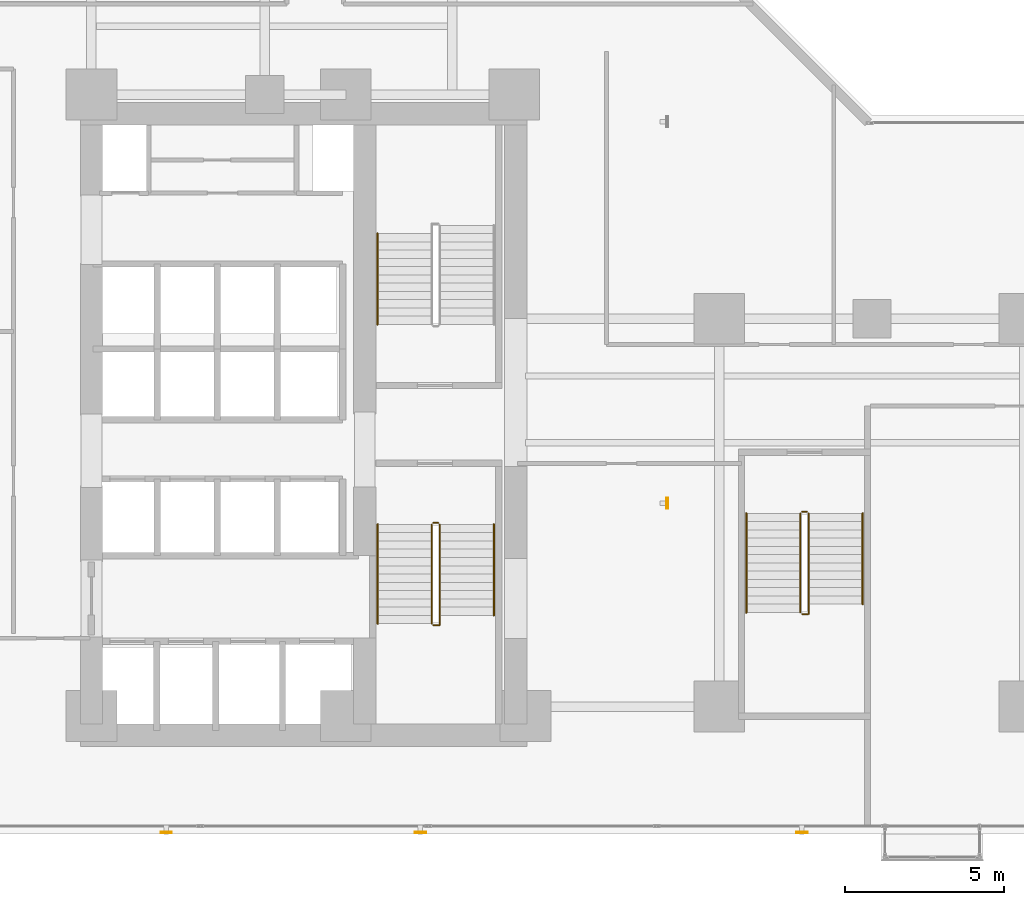
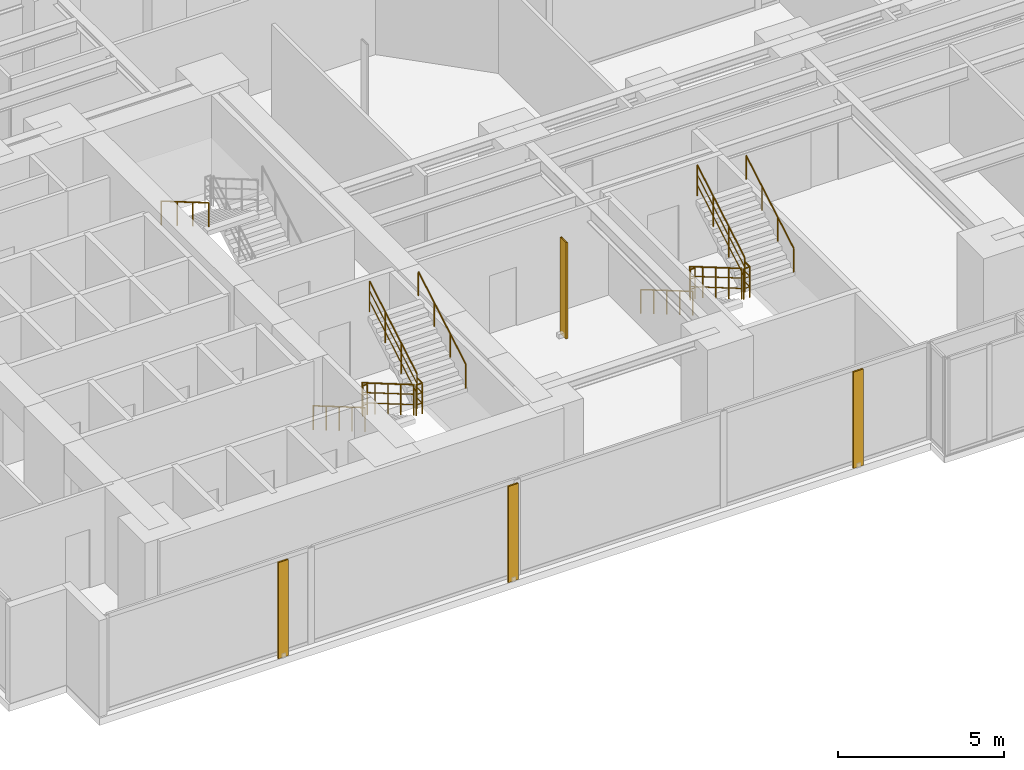
# One storey, part 27 of 30: 13 railings, 4 shading devices.
"""IFC4 building model written with IfcOpenShell, lengths in metres."""

from ifc_helpers import new_model, si_unit, direction, frame, origin, origin_2d, place, context, subcontext, project, spatial, hollow_rectangle, circle, extrude, material, material_profile, profile_set, type_object, element, save


model = new_model("IFC4")

# Units and contexts
model_context = context("Model", 3, precision=1e-05, world=origin(), true_north=direction((0.0, 1.0)))
body_context = subcontext(model_context, "Body", "Model", "MODEL_VIEW")
ifc_project = project(units=[si_unit("LENGTHUNIT", "METRE"), si_unit("AREAUNIT", "SQUARE_METRE"), si_unit("VOLUMEUNIT", "CUBIC_METRE"), si_unit("PLANEANGLEUNIT", "RADIAN"), si_unit("MASSUNIT", "GRAM", prefix="KILO")], contexts=[model_context])

# Site, building, storey
site_placement = place(None, origin())
site = spatial("IfcSite", under=ifc_project, at=site_placement, CompositionType="ELEMENT")
building_placement = place(site_placement, origin())
building = spatial("IfcBuilding", under=site, at=building_placement, Name="Kolvaren Waterfront Exchange", CompositionType="ELEMENT")
storey_placement = place(building_placement, frame((0.0, 0.0, 52.39990234375)))
storey = spatial("IfcBuildingStorey", under=building, at=storey_placement, Name="L13", CompositionType="ELEMENT", Elevation=52.39990234375)

# Shading devices
ifc_material_1 = material(Name="Anodised bronze aluminium 6063-T6", Category="aluminium")
ifc_material_profile = material_profile(ifc_material_1, hollow_rectangle(XDim=0.06005859375, YDim=0.35009765625, WallThickness=0.0048828125, at=origin_2d()), Name="BRZ-FIN-350x60x5")
ifc_profile_set = profile_set([ifc_material_profile], Name="Anodised bronze aluminium 6063-T6")
shading_device_type = type_object("IfcShadingDeviceType", Name="ARC-FIN-350", PredefinedType="USERDEFINED", material=ifc_profile_set)
for number, where, z_axis, x_axis, name in (
    (1, (9.800048828125, 1.239990234375, 0.0), (0.0, 0.0, 1.0), (0.0, -1.0, 0.0), "L13 anodised bronze solar shading fin FIN-L13-S1"),
    (2, (17.800048828125, 1.239990234375, 0.0), (0.0, 0.0, 1.0), (0.0, -1.0, 0.0), "L13 anodised bronze solar shading fin FIN-L13-S2"),
    (3, (29.800048828125, 1.239990234375, 0.0), (0.0, 0.0, 1.0), (0.0, -1.0, 0.0), "L13 anodised bronze solar shading fin FIN-L13-S3"),
    (4, (25.56005859375, 11.60009765625, 0.0), (0.0, 0.0, 1.0), (1.0, 0.0, 0.0), "L13 anodised bronze solar shading fin FIN-L13-E1"),
):
    element("IfcShadingDevice", number, at=place(storey_placement, frame(where, z_axis=z_axis, x_axis=x_axis)), inside=storey, type_object=shading_device_type, Name=name, ObjectType="SOLAR FIN", PredefinedType="USERDEFINED", context=body_context, shape_type="SweptSolid", body=[
        extrude(hollow_rectangle(XDim=0.06005859375, YDim=0.35009765625, WallThickness=0.0048828125, at=origin_2d()), origin(), (0.0, 0.0, 1.0), 3.5400390625),
    ])

# Railings
ifc_material_2 = material(Name="Stainless steel 316", Category="steel")
railing_type_1 = type_object("IfcRailingType", Name="ARC-GUARD-STAIR", PredefinedType="GUARDRAIL", material=ifc_material_2)
railing_1_placement = place(storey_placement, frame((18.14990234375, 10.929931640625, 0.152099609375)))
element("IfcRailing", 5, at=railing_1_placement, inside=storey, type_object=railing_type_1, Name="L13 ST1 stair guard 1", PredefinedType="GUARDRAIL", context=body_context, shape_type="SweptSolid", body=[
    extrude(circle(Radius=0.02392578125, at=origin_2d()), frame((0.0, 0.0, 1.1259765625), z_axis=(0.0, -0.86329090724, 0.504706656858), x_axis=(1.0, 0.0, 0.0)), (0.0, 0.0, 1.0), 3.614013671875),
    extrude(circle(Radius=0.01611328125, at=origin_2d()), frame((0.0, 0.0, 0.390869140625), z_axis=(0.0, -0.86329090724, 0.504706656858), x_axis=(1.0, 0.0, 0.0)), (0.0, 0.0, 1.0), 3.614013671875),
    extrude(circle(Radius=0.01611328125, at=origin_2d()), frame((0.0, 0.0, 0.7705078125), z_axis=(0.0, -0.86329090724, 0.504706656858), x_axis=(1.0, 0.0, 0.0)), (0.0, 0.0, 1.0), 3.614013671875),
    extrude(circle(Radius=0.02099609375, at=origin_2d()), origin(), (0.0, 0.0, 1.0), 1.101806640625),
    extrude(circle(Radius=0.02099609375, at=origin_2d()), frame((0.0, -0.780029296875, 0.4560546875)), (0.0, 0.0, 1.0), 1.101806640625),
    extrude(circle(Radius=0.02099609375, at=origin_2d()), frame((0.0, -1.56005859375, 0.912109375)), (0.0, 0.0, 1.0), 1.101806640625),
    extrude(circle(Radius=0.02099609375, at=origin_2d()), frame((0.0, -2.33984375, 1.367919921875)), (0.0, 0.0, 1.0), 1.101806640625),
    extrude(circle(Radius=0.02099609375, at=origin_2d()), frame((0.0, -3.119873046875, 1.823974609375)), (0.0, 0.0, 1.0), 1.101806640625),
])
railing_2_placement = place(storey_placement, frame((18.199951171875, 7.760009765625, 1.97607421875)))
element("IfcRailing", 6, at=railing_2_placement, inside=storey, type_object=railing_type_1, Name="L13 ST1 stair guard 2", PredefinedType="GUARDRAIL", context=body_context, shape_type="SweptSolid", body=[
    extrude(circle(Radius=0.02392578125, at=origin_2d()), frame((0.0, 0.0, 1.1259765625), z_axis=(1.0, 0.0, 0.0), x_axis=(0.0, 1.0, 0.0)), (0.0, 0.0, 1.0), 0.2099609375),
    extrude(circle(Radius=0.01611328125, at=origin_2d()), frame((0.0, 0.0, 0.390869140625), z_axis=(1.0, 0.0, 0.0), x_axis=(0.0, 1.0, 0.0)), (0.0, 0.0, 1.0), 0.2099609375),
    extrude(circle(Radius=0.01611328125, at=origin_2d()), frame((0.0, 0.0, 0.7705078125), z_axis=(1.0, 0.0, 0.0), x_axis=(0.0, 1.0, 0.0)), (0.0, 0.0, 1.0), 0.2099609375),
    extrude(circle(Radius=0.02392578125, at=origin_2d()), frame((0.2099609375, 0.0, 1.1259765625), z_axis=(0.0, 1.0, 0.0), x_axis=(-1.0, 0.0, 0.0)), (0.0, 0.0, 1.0), 0.31005859375),
    extrude(circle(Radius=0.01611328125, at=origin_2d()), frame((0.2099609375, 0.0, 0.390869140625), z_axis=(0.0, 1.0, 0.0), x_axis=(-1.0, 0.0, 0.0)), (0.0, 0.0, 1.0), 0.31005859375),
    extrude(circle(Radius=0.01611328125, at=origin_2d()), frame((0.2099609375, 0.0, 0.7705078125), z_axis=(0.0, 1.0, 0.0), x_axis=(-1.0, 0.0, 0.0)), (0.0, 0.0, 1.0), 0.31005859375),
    extrude(circle(Radius=0.02099609375, at=origin_2d()), origin(), (0.0, 0.0, 1.0), 1.101806640625),
    extrude(circle(Radius=0.02099609375, at=origin_2d()), frame((0.2099609375, 0.0, 0.0)), (0.0, 0.0, 1.0), 1.101806640625),
    extrude(circle(Radius=0.02099609375, at=origin_2d()), frame((0.2099609375, 0.31005859375, 0.0)), (0.0, 0.0, 1.0), 1.101806640625),
])
railing_3_placement = place(storey_placement, frame((18.409912109375, 8.070068359375, 2.128173828125)))
element("IfcRailing", 7, at=railing_3_placement, inside=storey, type_object=railing_type_1, Name="L13 ST1 stair guard 3", PredefinedType="GUARDRAIL", context=body_context, shape_type="SweptSolid", body=[
    extrude(circle(Radius=0.02392578125, at=origin_2d()), frame((0.0, 0.0, 1.1259765625), z_axis=(0.0, 0.86330272217, 0.504686447108), x_axis=(-1.0, 0.0, 0.0)), (0.0, 0.0, 1.0), 3.312744140625),
    extrude(circle(Radius=0.01611328125, at=origin_2d()), frame((0.0, 0.0, 0.390869140625), z_axis=(0.0, 0.86330272217, 0.504686447108), x_axis=(-1.0, 0.0, 0.0)), (0.0, 0.0, 1.0), 3.312744140625),
    extrude(circle(Radius=0.01611328125, at=origin_2d()), frame((0.0, 0.0, 0.7705078125), z_axis=(0.0, 0.86330272217, 0.504686447108), x_axis=(-1.0, 0.0, 0.0)), (0.0, 0.0, 1.0), 3.312744140625),
    extrude(circle(Radius=0.02099609375, at=origin_2d()), origin(), (0.0, 0.0, 1.0), 1.101806640625),
    extrude(circle(Radius=0.02099609375, at=origin_2d()), frame((0.0, 0.953369140625, 0.557373046875)), (0.0, 0.0, 1.0), 1.101806640625),
    extrude(circle(Radius=0.02099609375, at=origin_2d()), frame((0.0, 1.906494140625, 1.114501953125)), (0.0, 0.0, 1.0), 1.101806640625),
    extrude(circle(Radius=0.02099609375, at=origin_2d()), frame((0.0, 2.85986328125, 1.671875)), (0.0, 0.0, 1.0), 1.101806640625),
])
railing_4_placement = place(storey_placement, frame((18.199951171875, 10.97998046875, 0.0)))
element("IfcRailing", 8, at=railing_4_placement, inside=storey, type_object=railing_type_1, Name="L13 ST1 stair guard 4", PredefinedType="GUARDRAIL", context=body_context, shape_type="SweptSolid", body=[
    extrude(circle(Radius=0.02392578125, at=origin_2d()), frame((0.0, 0.0, 1.1259765625), z_axis=(1.0, 0.0, 0.0), x_axis=(0.0, 1.0, 0.0)), (0.0, 0.0, 1.0), 0.16015625),
    extrude(circle(Radius=0.01611328125, at=origin_2d()), frame((0.0, 0.0, 0.390869140625), z_axis=(1.0, 0.0, 0.0), x_axis=(0.0, 1.0, 0.0)), (0.0, 0.0, 1.0), 0.16015625),
    extrude(circle(Radius=0.01611328125, at=origin_2d()), frame((0.0, 0.0, 0.7705078125), z_axis=(1.0, 0.0, 0.0), x_axis=(0.0, 1.0, 0.0)), (0.0, 0.0, 1.0), 0.16015625),
    extrude(circle(Radius=0.02099609375, at=origin_2d()), origin(), (0.0, 0.0, 1.0), 1.101806640625),
    extrude(circle(Radius=0.02099609375, at=origin_2d()), frame((0.16015625, 0.0, 0.0)), (0.0, 0.0, 1.0), 1.101806640625),
])
railing_5_placement = place(storey_placement, frame((29.75, 11.280029296875, 0.152099609375)))
element("IfcRailing", 9, at=railing_5_placement, inside=storey, type_object=railing_type_1, Name="L13 ST3 stair guard 1", PredefinedType="GUARDRAIL", context=body_context, shape_type="SweptSolid", body=[
    extrude(circle(Radius=0.02392578125, at=origin_2d()), frame((0.0, 0.0, 1.1259765625), z_axis=(0.0, -0.86330811405, 0.504677223793), x_axis=(1.0, 0.0, 0.0)), (0.0, 0.0, 1.0), 3.6142578125),
    extrude(circle(Radius=0.01611328125, at=origin_2d()), frame((0.0, 0.0, 0.390869140625), z_axis=(0.0, -0.86330811405, 0.504677223793), x_axis=(1.0, 0.0, 0.0)), (0.0, 0.0, 1.0), 3.6142578125),
    extrude(circle(Radius=0.01611328125, at=origin_2d()), frame((0.0, 0.0, 0.7705078125), z_axis=(0.0, -0.86330811405, 0.504677223793), x_axis=(1.0, 0.0, 0.0)), (0.0, 0.0, 1.0), 3.6142578125),
    extrude(circle(Radius=0.02099609375, at=origin_2d()), origin(), (0.0, 0.0, 1.0), 1.101806640625),
    extrude(circle(Radius=0.02099609375, at=origin_2d()), frame((0.0, -0.780029296875, 0.4560546875)), (0.0, 0.0, 1.0), 1.101806640625),
    extrude(circle(Radius=0.02099609375, at=origin_2d()), frame((0.0, -1.56005859375, 0.912109375)), (0.0, 0.0, 1.0), 1.101806640625),
    extrude(circle(Radius=0.02099609375, at=origin_2d()), frame((0.0, -2.340087890625, 1.367919921875)), (0.0, 0.0, 1.0), 1.101806640625),
    extrude(circle(Radius=0.02099609375, at=origin_2d()), frame((0.0, -3.1201171875, 1.823974609375)), (0.0, 0.0, 1.0), 1.101806640625),
])
railing_6_placement = place(storey_placement, frame((29.800048828125, 8.110107421875, 1.97607421875)))
element("IfcRailing", 10, at=railing_6_placement, inside=storey, type_object=railing_type_1, Name="L13 ST3 stair guard 2", PredefinedType="GUARDRAIL", context=body_context, shape_type="SweptSolid", body=[
    extrude(circle(Radius=0.02392578125, at=origin_2d()), frame((0.0, 0.0, 1.1259765625), z_axis=(1.0, 0.0, 0.0), x_axis=(0.0, 1.0, 0.0)), (0.0, 0.0, 1.0), 0.2099609375),
    extrude(circle(Radius=0.01611328125, at=origin_2d()), frame((0.0, 0.0, 0.390869140625), z_axis=(1.0, 0.0, 0.0), x_axis=(0.0, 1.0, 0.0)), (0.0, 0.0, 1.0), 0.2099609375),
    extrude(circle(Radius=0.01611328125, at=origin_2d()), frame((0.0, 0.0, 0.7705078125), z_axis=(1.0, 0.0, 0.0), x_axis=(0.0, 1.0, 0.0)), (0.0, 0.0, 1.0), 0.2099609375),
    extrude(circle(Radius=0.02392578125, at=origin_2d()), frame((0.2099609375, 0.0, 1.1259765625), z_axis=(0.0, 1.0, 0.0), x_axis=(-1.0, 0.0, 0.0)), (0.0, 0.0, 1.0), 0.309814453125),
    extrude(circle(Radius=0.01611328125, at=origin_2d()), frame((0.2099609375, 0.0, 0.390869140625), z_axis=(0.0, 1.0, 0.0), x_axis=(-1.0, 0.0, 0.0)), (0.0, 0.0, 1.0), 0.309814453125),
    extrude(circle(Radius=0.01611328125, at=origin_2d()), frame((0.2099609375, 0.0, 0.7705078125), z_axis=(0.0, 1.0, 0.0), x_axis=(-1.0, 0.0, 0.0)), (0.0, 0.0, 1.0), 0.309814453125),
    extrude(circle(Radius=0.02099609375, at=origin_2d()), origin(), (0.0, 0.0, 1.0), 1.101806640625),
    extrude(circle(Radius=0.02099609375, at=origin_2d()), frame((0.2099609375, 0.0, 0.0)), (0.0, 0.0, 1.0), 1.101806640625),
    extrude(circle(Radius=0.02099609375, at=origin_2d()), frame((0.2099609375, 0.309814453125, 0.0)), (0.0, 0.0, 1.0), 1.101806640625),
])
railing_7_placement = place(storey_placement, frame((30.010009765625, 8.419921875, 2.128173828125)))
element("IfcRailing", 11, at=railing_7_placement, inside=storey, type_object=railing_type_1, Name="L13 ST3 stair guard 3", PredefinedType="GUARDRAIL", context=body_context, shape_type="SweptSolid", body=[
    extrude(circle(Radius=0.02392578125, at=origin_2d()), frame((0.0, 0.0, 1.1259765625), z_axis=(0.0, 0.863321491973, 0.504654338629), x_axis=(-1.0, 0.0, 0.0)), (0.0, 0.0, 1.0), 3.31298828125),
    extrude(circle(Radius=0.01611328125, at=origin_2d()), frame((0.0, 0.0, 0.390869140625), z_axis=(0.0, 0.863321491973, 0.504654338629), x_axis=(-1.0, 0.0, 0.0)), (0.0, 0.0, 1.0), 3.31298828125),
    extrude(circle(Radius=0.01611328125, at=origin_2d()), frame((0.0, 0.0, 0.7705078125), z_axis=(0.0, 0.863321491973, 0.504654338629), x_axis=(-1.0, 0.0, 0.0)), (0.0, 0.0, 1.0), 3.31298828125),
    extrude(circle(Radius=0.02099609375, at=origin_2d()), origin(), (0.0, 0.0, 1.0), 1.101806640625),
    extrude(circle(Radius=0.02099609375, at=origin_2d()), frame((0.0, 0.953369140625, 0.557373046875)), (0.0, 0.0, 1.0), 1.101806640625),
    extrude(circle(Radius=0.02099609375, at=origin_2d()), frame((0.0, 1.90673828125, 1.114501953125)), (0.0, 0.0, 1.0), 1.101806640625),
    extrude(circle(Radius=0.02099609375, at=origin_2d()), frame((0.0, 2.860107421875, 1.671875)), (0.0, 0.0, 1.0), 1.101806640625),
])
railing_8_placement = place(storey_placement, frame((29.800048828125, 11.330078125, 0.0)))
element("IfcRailing", 12, at=railing_8_placement, inside=storey, type_object=railing_type_1, Name="L13 ST3 stair guard 4", PredefinedType="GUARDRAIL", context=body_context, shape_type="SweptSolid", body=[
    extrude(circle(Radius=0.02392578125, at=origin_2d()), frame((0.0, 0.0, 1.1259765625), z_axis=(1.0, 0.0, 0.0), x_axis=(0.0, 1.0, 0.0)), (0.0, 0.0, 1.0), 0.159912109375),
    extrude(circle(Radius=0.01611328125, at=origin_2d()), frame((0.0, 0.0, 0.390869140625), z_axis=(1.0, 0.0, 0.0), x_axis=(0.0, 1.0, 0.0)), (0.0, 0.0, 1.0), 0.159912109375),
    extrude(circle(Radius=0.01611328125, at=origin_2d()), frame((0.0, 0.0, 0.7705078125), z_axis=(1.0, 0.0, 0.0), x_axis=(0.0, 1.0, 0.0)), (0.0, 0.0, 1.0), 0.159912109375),
    extrude(circle(Radius=0.02099609375, at=origin_2d()), origin(), (0.0, 0.0, 1.0), 1.101806640625),
    extrude(circle(Radius=0.02099609375, at=origin_2d()), frame((0.159912109375, 0.0, 0.0)), (0.0, 0.0, 1.0), 1.101806640625),
])
railing_type_2 = type_object("IfcRailingType", Name="ARC-HANDRAIL-900", PredefinedType="HANDRAIL", material=ifc_material_2)
railing_9_placement = place(storey_placement, frame((16.449951171875, 10.929931640625, 0.152099609375)))
element("IfcRailing", 13, at=railing_9_placement, inside=storey, type_object=railing_type_2, Name="L13 ST1 stair handrail 1", PredefinedType="HANDRAIL", context=body_context, shape_type="SweptSolid", body=[
    extrude(circle(Radius=0.02392578125, at=origin_2d()), frame((0.0, 0.0, 0.8759765625), z_axis=(0.0, -0.86329090724, 0.504706656858), x_axis=(1.0, 0.0, 0.0)), (0.0, 0.0, 1.0), 3.614013671875),
    extrude(circle(Radius=0.02099609375, at=origin_2d()), origin(), (0.0, 0.0, 1.0), 0.851806640625),
    extrude(circle(Radius=0.02099609375, at=origin_2d()), frame((0.0, -0.780029296875, 0.4560546875)), (0.0, 0.0, 1.0), 0.851806640625),
    extrude(circle(Radius=0.02099609375, at=origin_2d()), frame((0.0, -1.56005859375, 0.912109375)), (0.0, 0.0, 1.0), 0.851806640625),
    extrude(circle(Radius=0.02099609375, at=origin_2d()), frame((0.0, -2.33984375, 1.367919921875)), (0.0, 0.0, 1.0), 0.851806640625),
    extrude(circle(Radius=0.02099609375, at=origin_2d()), frame((0.0, -3.119873046875, 1.823974609375)), (0.0, 0.0, 1.0), 0.851806640625),
])
railing_10_placement = place(storey_placement, frame((20.110107421875, 8.070068359375, 2.128173828125)))
element("IfcRailing", 14, at=railing_10_placement, inside=storey, type_object=railing_type_2, Name="L13 ST1 stair handrail 2", PredefinedType="HANDRAIL", context=body_context, shape_type="SweptSolid", body=[
    extrude(circle(Radius=0.02392578125, at=origin_2d()), frame((0.0, 0.0, 0.8759765625), z_axis=(0.0, 0.86330272217, 0.504686447108), x_axis=(-1.0, 0.0, 0.0)), (0.0, 0.0, 1.0), 3.312744140625),
    extrude(circle(Radius=0.02099609375, at=origin_2d()), origin(), (0.0, 0.0, 1.0), 0.851806640625),
    extrude(circle(Radius=0.02099609375, at=origin_2d()), frame((0.0, 0.953369140625, 0.557373046875)), (0.0, 0.0, 1.0), 0.851806640625),
    extrude(circle(Radius=0.02099609375, at=origin_2d()), frame((0.0, 1.906494140625, 1.114501953125)), (0.0, 0.0, 1.0), 0.851806640625),
    extrude(circle(Radius=0.02099609375, at=origin_2d()), frame((0.0, 2.85986328125, 1.671875)), (0.0, 0.0, 1.0), 0.851806640625),
])
railing_11_placement = place(storey_placement, frame((16.449951171875, 20.080078125, 2.128173828125)))
element("IfcRailing", 15, at=railing_11_placement, inside=storey, type_object=railing_type_2, Name="L13 ST2 stair handrail 2", PredefinedType="HANDRAIL", context=body_context, shape_type="SweptSolid", body=[
    extrude(circle(Radius=0.02392578125, at=origin_2d()), frame((0.0, 0.0, 0.8759765625), z_axis=(0.0, -0.863321491973, 0.504654338629), x_axis=(1.0, 0.0, 0.0)), (0.0, 0.0, 1.0), 3.31298828125),
    extrude(circle(Radius=0.02099609375, at=origin_2d()), origin(), (0.0, 0.0, 1.0), 0.851806640625),
    extrude(circle(Radius=0.02099609375, at=origin_2d()), frame((0.0, -0.953369140625, 0.557373046875)), (0.0, 0.0, 1.0), 0.851806640625),
    extrude(circle(Radius=0.02099609375, at=origin_2d()), frame((0.0, -1.90673828125, 1.114501953125)), (0.0, 0.0, 1.0), 0.851806640625),
    extrude(circle(Radius=0.02099609375, at=origin_2d()), frame((0.0, -2.860107421875, 1.671875)), (0.0, 0.0, 1.0), 0.851806640625),
])
railing_12_placement = place(storey_placement, frame((28.050048828125, 11.280029296875, 0.152099609375)))
element("IfcRailing", 16, at=railing_12_placement, inside=storey, type_object=railing_type_2, Name="L13 ST3 stair handrail 1", PredefinedType="HANDRAIL", context=body_context, shape_type="SweptSolid", body=[
    extrude(circle(Radius=0.02392578125, at=origin_2d()), frame((0.0, 0.0, 0.8759765625), z_axis=(0.0, -0.86330811405, 0.504677223793), x_axis=(1.0, 0.0, 0.0)), (0.0, 0.0, 1.0), 3.6142578125),
    extrude(circle(Radius=0.02099609375, at=origin_2d()), origin(), (0.0, 0.0, 1.0), 0.851806640625),
    extrude(circle(Radius=0.02099609375, at=origin_2d()), frame((0.0, -0.780029296875, 0.4560546875)), (0.0, 0.0, 1.0), 0.851806640625),
    extrude(circle(Radius=0.02099609375, at=origin_2d()), frame((0.0, -1.56005859375, 0.912109375)), (0.0, 0.0, 1.0), 0.851806640625),
    extrude(circle(Radius=0.02099609375, at=origin_2d()), frame((0.0, -2.340087890625, 1.367919921875)), (0.0, 0.0, 1.0), 0.851806640625),
    extrude(circle(Radius=0.02099609375, at=origin_2d()), frame((0.0, -3.1201171875, 1.823974609375)), (0.0, 0.0, 1.0), 0.851806640625),
])
railing_13_placement = place(storey_placement, frame((31.7099609375, 8.419921875, 2.128173828125)))
element("IfcRailing", 17, at=railing_13_placement, inside=storey, type_object=railing_type_2, Name="L13 ST3 stair handrail 2", PredefinedType="HANDRAIL", context=body_context, shape_type="SweptSolid", body=[
    extrude(circle(Radius=0.02392578125, at=origin_2d()), frame((0.0, 0.0, 0.8759765625), z_axis=(0.0, 0.863321491973, 0.504654338629), x_axis=(-1.0, 0.0, 0.0)), (0.0, 0.0, 1.0), 3.31298828125),
    extrude(circle(Radius=0.02099609375, at=origin_2d()), origin(), (0.0, 0.0, 1.0), 0.851806640625),
    extrude(circle(Radius=0.02099609375, at=origin_2d()), frame((0.0, 0.953369140625, 0.557373046875)), (0.0, 0.0, 1.0), 0.851806640625),
    extrude(circle(Radius=0.02099609375, at=origin_2d()), frame((0.0, 1.90673828125, 1.114501953125)), (0.0, 0.0, 1.0), 0.851806640625),
    extrude(circle(Radius=0.02099609375, at=origin_2d()), frame((0.0, 2.860107421875, 1.671875)), (0.0, 0.0, 1.0), 0.851806640625),
])

save(model, "model.ifc")
